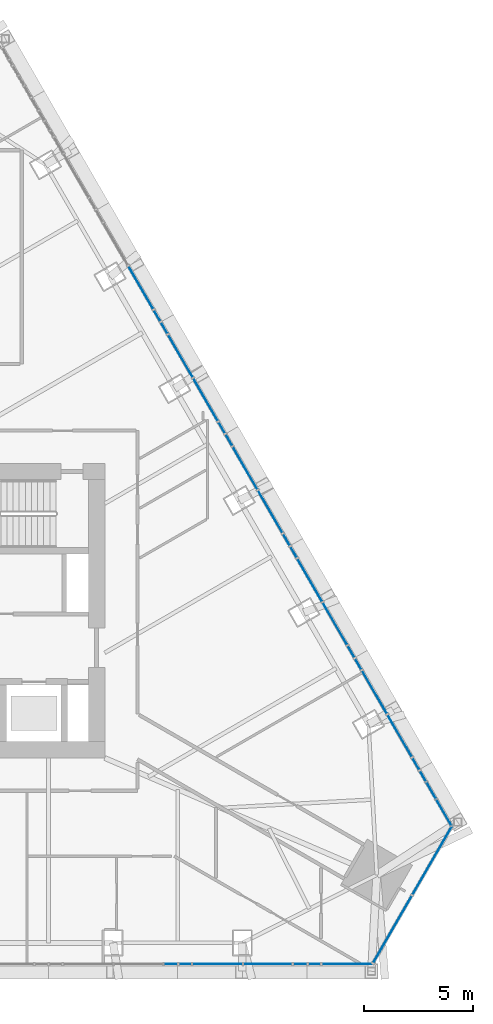
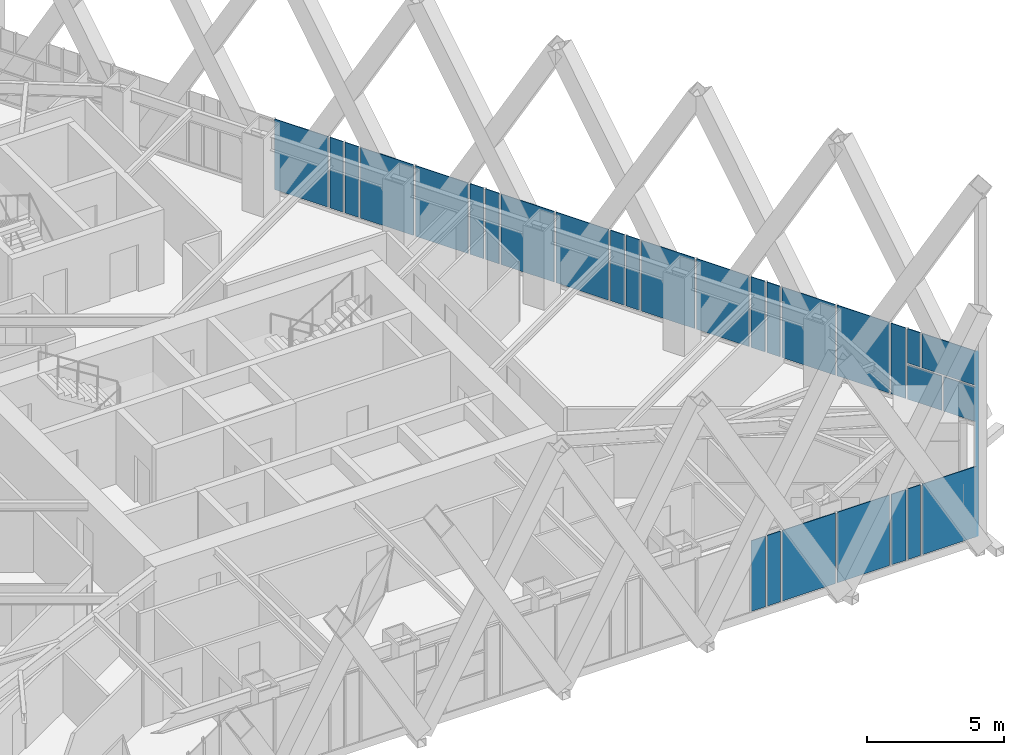
# One storey, part 14 of 23: 31 plates, 3 elements without a shape of their own.
"""IFC4 building model written with IfcOpenShell, lengths in metres."""

from ifc_helpers import new_model, si_unit, direction, frame, origin, place, context, subcontext, project, spatial, polyline, outline, extrude, material, layer, layer_set, type_object, element, aggregate, save


model = new_model("IFC4")

# Units and contexts
model_context = context("Model", 3, precision=1e-05, world=origin(), true_north=direction((0.0, 1.0)))
body_context = subcontext(model_context, "Body", "Model", "MODEL_VIEW")
ifc_project = project(units=[si_unit("LENGTHUNIT", "METRE"), si_unit("AREAUNIT", "SQUARE_METRE"), si_unit("VOLUMEUNIT", "CUBIC_METRE"), si_unit("PLANEANGLEUNIT", "RADIAN"), si_unit("MASSUNIT", "GRAM", prefix="KILO")], contexts=[model_context])

# Site, building, storey
site_placement = place(None, origin())
site = spatial("IfcSite", under=ifc_project, at=site_placement, CompositionType="ELEMENT")
building_placement = place(site_placement, origin())
building = spatial("IfcBuilding", under=site, at=building_placement, Name="Firuza Gate Tower and Library", CompositionType="ELEMENT")
storey_placement = place(building_placement, frame((0.0, 0.0, 312.60009765625)))
storey = spatial("IfcBuildingStorey", under=building, at=storey_placement, Name="L76", CompositionType="ELEMENT", Elevation=312.60009765625)

# Curtain wall, plates
ifc_material_1 = material(Name="Aluminium 6063-T6", Category="aluminium")
ifc_layer_1 = layer(ifc_material_1, 0.14990234375)
ifc_layer_set_1 = layer_set([ifc_layer_1], Name="Corner curtain wall, chamfers")
curtain_wall_type_1 = type_object("IfcCurtainWallType", Name="Corner curtain wall, chamfers", PredefinedType="NOTDEFINED", material=ifc_layer_set_1)
placement = place(storey_placement, origin())
curtain_wall_1 = element("IfcCurtainWall", 1, at=placement, inside=storey, type_object=curtain_wall_type_1, Name="CW4 L76 SE corner", PredefinedType="NOTDEFINED")
ifc_material_2 = material(Name="Fritted glass", Category="glass")
ifc_layer_2 = layer(ifc_material_2, 0.030029296875)
ifc_layer_set_2 = layer_set([ifc_layer_2], Name="Fritted glass unit, corners")
plate_type_1 = type_object("IfcPlateType", Name="Fritted glass unit, corners", PredefinedType="CURTAIN_PANEL", material=ifc_layer_set_2)
plate_1_placement = place(storey_placement, frame((95.79638671875, 58.83251953125, 0.14990234375), z_axis=(0.866046390552, -0.49996364809, 0.0), x_axis=(0.49996364809, 0.866046390552, 0.0)))
plate_1 = element("IfcPlate", 2, at=plate_1_placement, type_object=plate_type_1, Name="Glass unit", PredefinedType="CURTAIN_PANEL", context=body_context, shape_type="SweptSolid", body=[
    extrude(outline(polyline([(0.0, 0.0), (3.563247342942594, 0.0), (3.563247342942594, 3.14990234375), (0.0, 3.14990234375), (0.0, 0.0)])), origin(), (0.0, 0.0, -1.0), 0.030029296875),
])
plate_2_placement = place(storey_placement, frame((97.617919921875, 61.98779296875, 0.14990234375), z_axis=(0.866016723041, -0.500015035186, 0.0), x_axis=(0.500015035186, 0.866016723041, 0.0)))
plate_2 = element("IfcPlate", 3, at=plate_2_placement, type_object=plate_type_1, Name="Glass unit", PredefinedType="CURTAIN_PANEL", context=body_context, shape_type="SweptSolid", body=[
    extrude(outline(polyline([(0.0, 0.0), (3.5633694106530625, 0.0), (3.5633694106530625, 3.14990234375), (0.0, 3.14990234375), (0.0, 0.0)])), origin(), (0.0, 0.0, -1.0), 0.030029296875),
])
aggregate(curtain_wall_1, [plate_1, plate_2])

ifc_material_3 = material(Name="Aluminium 6063-T6", Category="aluminium")
ifc_layer_3 = layer(ifc_material_3, 0.14990234375)
ifc_layer_set_3 = layer_set([ifc_layer_3], Name="Unitised curtain wall, residences")
curtain_wall_type_2 = type_object("IfcCurtainWallType", Name="Unitised curtain wall, residences", PredefinedType="NOTDEFINED", material=ifc_layer_set_3)
curtain_wall_2 = element("IfcCurtainWall", 4, at=placement, inside=storey, type_object=curtain_wall_type_2, Name="CW3 L76 S face", PredefinedType="NOTDEFINED")
ifc_material_4 = material(Name="Fritted glass", Category="glass")
ifc_layer_4 = layer(ifc_material_4, 0.030029296875)
ifc_layer_set_4 = layer_set([ifc_layer_4], Name="Fritted glass unit, residences")
plate_type_2 = type_object("IfcPlateType", Name="Fritted glass unit, residences", PredefinedType="CURTAIN_PANEL", material=ifc_layer_set_4)
plate_3_placement = place(storey_placement, frame((86.227294921875, 58.790283203125, 0.14990234375), z_axis=(0.0, -1.0, 0.0), x_axis=(1.0, 0.0, 0.0)))
plate_3 = element("IfcPlate", 5, at=plate_3_placement, type_object=plate_type_2, Name="Glass unit", PredefinedType="CURTAIN_PANEL", context=body_context, shape_type="SweptSolid", body=[
    extrude(outline(polyline([(0.0, 0.0), (0.597412109375, 0.0), (0.597412109375, 3.14990234375), (0.0, 3.14990234375), (0.0, 0.0)])), origin(), (0.0, 0.0, -1.0), 0.030029296875),
])
plate_4_placement = place(storey_placement, frame((86.90478515625, 58.790283203125, 0.14990234375), z_axis=(0.0, -1.0, 0.0), x_axis=(1.0, 0.0, 0.0)))
plate_4 = element("IfcPlate", 6, at=plate_4_placement, type_object=plate_type_2, Name="Glass unit", PredefinedType="CURTAIN_PANEL", context=body_context, shape_type="SweptSolid", body=[
    extrude(outline(polyline([(0.0, 0.0), (0.5478515625, 0.0), (0.5478515625, 3.14990234375), (0.0, 3.14990234375), (0.0, 0.0)])), origin(), (0.0, 0.0, -1.0), 0.030029296875),
])
plate_5_placement = place(storey_placement, frame((92.1474609375, 58.790283203125, 0.14990234375), z_axis=(0.0, -1.0, 0.0), x_axis=(1.0, 0.0, 0.0)))
plate_5 = element("IfcPlate", 7, at=plate_5_placement, type_object=plate_type_2, Name="Glass unit", PredefinedType="CURTAIN_PANEL", context=body_context, shape_type="SweptSolid", body=[
    extrude(outline(polyline([(0.0, 0.0), (0.609619140625, 0.0), (0.609619140625, 3.14990234375), (0.0, 3.14990234375), (0.0, 0.0)])), origin(), (0.0, 0.0, -1.0), 0.030029296875),
])
plate_6_placement = place(storey_placement, frame((92.837158203125, 58.790283203125, 0.14990234375), z_axis=(0.0, -1.0, 0.0), x_axis=(1.0, 0.0, 0.0)))
plate_6 = element("IfcPlate", 8, at=plate_6_placement, type_object=plate_type_2, Name="Glass unit", PredefinedType="CURTAIN_PANEL", context=body_context, shape_type="SweptSolid", body=[
    extrude(outline(polyline([(0.0, 0.0), (0.535400390625, 0.0), (0.535400390625, 3.14990234375), (0.0, 3.14990234375), (0.0, 0.0)])), origin(), (0.0, 0.0, -1.0), 0.030029296875),
])

curtain_wall_3 = element("IfcCurtainWall", 9, at=placement, inside=storey, type_object=curtain_wall_type_2, Name="CW3 L76 E face", PredefinedType="NOTDEFINED")
plate_7_placement = place(storey_placement, frame((98.679443359375, 66.405029296875, 0.14990234375), z_axis=(0.8660843843, 0.499897828833, 0.0), x_axis=(-0.499897828833, 0.8660843843, 0.0)))
plate_7 = element("IfcPlate", 10, at=plate_7_placement, type_object=plate_type_2, Name="Glass unit", PredefinedType="CURTAIN_PANEL", context=body_context, shape_type="SweptSolid", body=[
    extrude(outline(polyline([(0.0, 0.0), (1.4460962799396364, 0.0), (1.4460962799396364, 1.5349121093750004), (0.0, 1.5349121093750004), (0.0, 0.0)])), origin(), (0.0, 0.0, -1.0), 0.030029296875),
])
plate_8_placement = place(storey_placement, frame((98.224365234375, 67.193603515625, 1.764892578125), z_axis=(0.866018596809, 0.500011789842, 0.0), x_axis=(-0.500011789842, 0.866018596809, 0.0)))
plate_8 = element("IfcPlate", 11, at=plate_8_placement, type_object=plate_type_2, Name="Glass unit", PredefinedType="CURTAIN_PANEL", context=body_context, shape_type="SweptSolid", body=[
    extrude(outline(polyline([(0.0, 0.0), (0.5356319012191753, 0.0), (0.5356319012191753, 1.534912109375), (0.0, 1.534912109375), (0.0, 0.0)])), origin(), (0.0, 0.0, -1.0), 0.030029296875),
])
plate_9_placement = place(storey_placement, frame((97.91650390625, 67.726806640625, 0.14990234375), z_axis=(0.865892059001, 0.500230888849, 0.0), x_axis=(-0.500230888849, 0.865892059001, 0.0)))
plate_9 = element("IfcPlate", 12, at=plate_9_placement, type_object=plate_type_2, Name="Glass unit", PredefinedType="CURTAIN_PANEL", context=body_context, shape_type="SweptSolid", body=[
    extrude(outline(polyline([(0.0, 0.0), (0.6095817899738764, 0.0), (0.6095817899738764, 3.14990234375), (0.0, 3.14990234375), (0.0, 0.0)])), origin(), (0.0, 0.0, -1.0), 0.030029296875),
])
plate_10_placement = place(storey_placement, frame((95.26416015625, 72.320556640625, 0.14990234375), z_axis=(0.865985176339, 0.500069669507, 0.0), x_axis=(-0.500069669507, 0.865985176339, 0.0)))
plate_10 = element("IfcPlate", 13, at=plate_10_placement, type_object=plate_type_2, Name="Glass unit", PredefinedType="CURTAIN_PANEL", context=body_context, shape_type="SweptSolid", body=[
    extrude(outline(polyline([(0.0, 0.0), (0.547775236038534, 0.0), (0.547775236038534, 3.14990234375), (0.0, 3.14990234375), (0.0, 0.0)])), origin(), (0.0, 0.0, -1.0), 0.030029296875),
])
plate_11_placement = place(storey_placement, frame((94.9501953125, 72.8642578125, 0.14990234375), z_axis=(0.866097112779, 0.499875775804, 0.0), x_axis=(-0.499875775804, 0.866097112779, 0.0)))
plate_11 = element("IfcPlate", 14, at=plate_11_placement, type_object=plate_type_2, Name="Glass unit", PredefinedType="CURTAIN_PANEL", context=body_context, shape_type="SweptSolid", body=[
    extrude(outline(polyline([(0.0, 0.0), (0.5973163710418148, 0.0), (0.5973163710418148, 3.14990234375), (0.0, 3.14990234375), (0.0, 0.0)])), origin(), (0.0, 0.0, -1.0), 0.030029296875),
])
plate_12_placement = place(storey_placement, frame((92.30419921875, 77.447265625, 0.14990234375), z_axis=(0.866171078478, 0.499747599102, 0.0), x_axis=(-0.499747599102, 0.866171078478, 0.0)))
plate_12 = element("IfcPlate", 15, at=plate_12_placement, type_object=plate_type_2, Name="Glass unit", PredefinedType="CURTAIN_PANEL", context=body_context, shape_type="SweptSolid", body=[
    extrude(outline(polyline([(0.0, 0.0), (0.5603414551231225, 0.0), (0.5603414551231225, 3.14990234375), (0.0, 3.14990234375), (0.0, 0.0)])), origin(), (0.0, 0.0, -1.0), 0.030029296875),
])
plate_13_placement = place(storey_placement, frame((91.984130859375, 78.001953125, 0.14990234375), z_axis=(0.866025730634, 0.499999433879, 0.0), x_axis=(-0.499999433879, 0.866025730634, 0.0)))
plate_13 = element("IfcPlate", 16, at=plate_13_placement, type_object=plate_type_2, Name="Glass unit", PredefinedType="CURTAIN_PANEL", context=body_context, shape_type="SweptSolid", body=[
    extrude(outline(polyline([(0.0, 0.0), (0.5849615998176811, 0.0), (0.5849615998176811, 3.149902343750001), (0.0, 3.149902343750001), (0.0, 0.0)])), origin(), (0.0, 0.0, -1.0), 0.030029296875),
])
plate_14_placement = place(storey_placement, frame((89.34423828125, 82.57421875, 0.14990234375), z_axis=(0.865951249342, 0.500128417272, 0.0), x_axis=(-0.500128417272, 0.865951249342, 0.0)))
plate_14 = element("IfcPlate", 17, at=plate_14_placement, type_object=plate_type_2, Name="Glass unit", PredefinedType="CURTAIN_PANEL", context=body_context, shape_type="SweptSolid", body=[
    extrude(outline(polyline([(0.0, 0.0), (0.5726068410336176, 0.0), (0.5726068410336176, 3.14990234375), (0.0, 3.14990234375), (0.0, 0.0)])), origin(), (0.0, 0.0, -1.0), 0.030029296875),
])
plate_15_placement = place(storey_placement, frame((89.017822265625, 83.139404296875, 0.14990234375), z_axis=(0.86613588357, 0.499808594556, 0.0), x_axis=(-0.499808594556, 0.86613588357, 0.0)))
plate_15 = element("IfcPlate", 18, at=plate_15_placement, type_object=plate_type_2, Name="Glass unit", PredefinedType="CURTAIN_PANEL", context=body_context, shape_type="SweptSolid", body=[
    extrude(outline(polyline([(0.0, 0.0), (0.5724847784059417, 0.0), (0.5724847784059417, 3.14990234375), (0.0, 3.14990234375), (0.0, 0.0)])), origin(), (0.0, 0.0, -1.0), 0.030029296875),
])
plate_16_placement = place(storey_placement, frame((86.38427734375, 87.701171875, 0.14990234375), z_axis=(0.866025730634, 0.499999433879, 0.0), x_axis=(-0.499999433879, 0.866025730634, 0.0)))
plate_16 = element("IfcPlate", 19, at=plate_16_placement, type_object=plate_type_2, Name="Glass unit", PredefinedType="CURTAIN_PANEL", context=body_context, shape_type="SweptSolid", body=[
    extrude(outline(polyline([(0.0, 0.0), (0.5849615998176811, 0.0), (0.5849615998176811, 3.149902343750001), (0.0, 3.149902343750001), (0.0, 0.0)])), origin(), (0.0, 0.0, -1.0), 0.030029296875),
])
plate_17_placement = place(storey_placement, frame((86.0517578125, 88.277099609375, 0.14990234375), z_axis=(0.86606220186, 0.499936258447, 0.0), x_axis=(-0.499936258447, 0.86606220186, 0.0)))
plate_17 = element("IfcPlate", 20, at=plate_17_placement, type_object=plate_type_2, Name="Glass unit", PredefinedType="CURTAIN_PANEL", context=body_context, shape_type="SweptSolid", body=[
    extrude(outline(polyline([(0.0, 0.0), (0.5601300008627605, 0.0), (0.5601300008627605, 3.149902343750001), (0.0, 3.149902343750001), (0.0, 0.0)])), origin(), (0.0, 0.0, -1.0), 0.030029296875),
])

# Plate
ifc_material_5 = material(Name="Glazed ceramic tile")
ifc_layer_5 = layer(ifc_material_5, 0.030029296875)
ifc_layer_set_5 = layer_set([ifc_layer_5], Name="Opaque ceramic panel, residences")
plate_type_3 = type_object("IfcPlateType", Name="Opaque ceramic panel, residences", PredefinedType="CURTAIN_PANEL", material=ifc_layer_set_5)
plate_18_placement = place(storey_placement, frame((87.53271484375, 58.790283203125, 0.14990234375), z_axis=(0.0, -1.0, 0.0), x_axis=(1.0, 0.0, 0.0)))
plate_18 = element("IfcPlate", 21, at=plate_18_placement, type_object=plate_type_3, Name="Opaque ceramic panel", PredefinedType="CURTAIN_PANEL", context=body_context, shape_type="SweptSolid", body=[
    extrude(outline(polyline([(0.0, 0.0), (2.25830078125, 0.0), (2.25830078125, 3.14990234375), (0.0, 3.14990234375), (0.0, 0.0)])), origin(), (0.0, 0.0, -1.0), 0.030029296875),
])

plate_19_placement = place(storey_placement, frame((89.870849609375, 58.790283203125, 0.14990234375), z_axis=(0.0, -1.0, 0.0), x_axis=(1.0, 0.0, 0.0)))
plate_19 = element("IfcPlate", 22, at=plate_19_placement, type_object=plate_type_3, Name="Opaque ceramic panel", PredefinedType="CURTAIN_PANEL", context=body_context, shape_type="SweptSolid", body=[
    extrude(outline(polyline([(0.0, 0.0), (2.196533203125, 0.0), (2.196533203125, 3.14990234375), (0.0, 3.14990234375), (0.0, 0.0)])), origin(), (0.0, 0.0, -1.0), 0.030029296875),
])

plate_20_placement = place(storey_placement, frame((93.45263671875, 58.790283203125, 0.14990234375), z_axis=(0.0, -1.0, 0.0), x_axis=(1.0, 0.0, 0.0)))
plate_20 = element("IfcPlate", 23, at=plate_20_placement, type_object=plate_type_3, Name="Opaque ceramic panel", PredefinedType="CURTAIN_PANEL", context=body_context, shape_type="SweptSolid", body=[
    extrude(outline(polyline([(0.0, 0.0), (2.270751953125, 0.0), (2.270751953125, 3.14990234375), (0.0, 3.14990234375), (0.0, 0.0)])), origin(), (0.0, 0.0, -1.0), 0.030029296875),
])

aggregate(curtain_wall_2, [plate_3, plate_4, plate_18, plate_19, plate_5, plate_6, plate_20])

plate_21_placement = place(storey_placement, frame((99.399658203125, 65.157958984375, 0.14990234375), z_axis=(0.865958369053, 0.50011608959, 0.0), x_axis=(-0.50011608959, 0.865958369053, 0.0)))
plate_21 = element("IfcPlate", 24, at=plate_21_placement, type_object=plate_type_3, Name="Opaque ceramic panel", PredefinedType="CURTAIN_PANEL", context=body_context, shape_type="SweptSolid", body=[
    extrude(outline(polyline([(0.0, 0.0), (1.3600357905054148, 0.0), (1.3600357905054148, 1.5349121093750004), (0.0, 1.5349121093750004), (0.0, 0.0)])), origin(), (0.0, 0.0, -1.0), 0.030029296875),
])

plate_22_placement = place(storey_placement, frame((99.399658203125, 65.157958984375, 1.764892578125), z_axis=(0.865977867159, 0.500082326813, 0.0), x_axis=(-0.500082326813, 0.865977867159, 0.0)))
plate_22 = element("IfcPlate", 25, at=plate_22_placement, type_object=plate_type_3, Name="Opaque ceramic panel", PredefinedType="CURTAIN_PANEL", context=body_context, shape_type="SweptSolid", body=[
    extrude(outline(polyline([(0.0, 0.0), (2.270622227564956, 0.0), (2.270622227564956, 1.5349121093750004), (0.0, 1.5349121093750004), (0.0, 0.0)])), origin(), (0.0, 0.0, -1.0), 0.030029296875),
])

plate_23_placement = place(storey_placement, frame((97.571533203125, 68.323974609375, 0.14990234375), z_axis=(0.866059731463, 0.499940538003, 0.0), x_axis=(-0.499940538003, 0.866059731463, 0.0)))
plate_23 = element("IfcPlate", 26, at=plate_23_placement, type_object=plate_type_3, Name="Opaque ceramic panel", PredefinedType="CURTAIN_PANEL", context=body_context, shape_type="SweptSolid", body=[
    extrude(outline(polyline([(0.0, 0.0), (2.1965502850329526, 0.0), (2.1965502850329526, 3.14990234375), (0.0, 3.14990234375), (0.0, 0.0)])), origin(), (0.0, 0.0, -1.0), 0.030029296875),
])

plate_24_placement = place(storey_placement, frame((96.433349609375, 70.29541015625, 0.14990234375), z_axis=(0.866032566085, 0.499987594326, 0.0), x_axis=(-0.499987594326, 0.866032566085, 0.0)))
plate_24 = element("IfcPlate", 27, at=plate_24_placement, type_object=plate_type_3, Name="Opaque ceramic panel", PredefinedType="CURTAIN_PANEL", context=body_context, shape_type="SweptSolid", body=[
    extrude(outline(polyline([(0.0, 0.0), (2.2583568141274926, 0.0), (2.2583568141274926, 3.14990234375), (0.0, 3.14990234375), (0.0, 0.0)])), origin(), (0.0, 0.0, -1.0), 0.030029296875),
])

plate_25_placement = place(storey_placement, frame((94.611572265625, 73.450927734375, 0.14990234375), z_axis=(0.86605121829, 0.4999552853, 0.0), x_axis=(-0.4999552853, 0.86605121829, 0.0)))
plate_25 = element("IfcPlate", 28, at=plate_25_placement, type_object=plate_type_3, Name="Opaque ceramic panel", PredefinedType="CURTAIN_PANEL", context=body_context, shape_type="SweptSolid", body=[
    extrude(outline(polyline([(0.0, 0.0), (2.208693615895883, 0.0), (2.208693615895883, 3.149902343750001), (0.0, 3.149902343750001), (0.0, 0.0)])), origin(), (0.0, 0.0, -1.0), 0.030029296875),
])

plate_26_placement = place(storey_placement, frame((93.46728515625, 75.43310546875, 0.14990234375), z_axis=(0.866013617334, 0.500020414175, 0.0), x_axis=(-0.500020414175, 0.866013617334, 0.0)))
plate_26 = element("IfcPlate", 29, at=plate_26_placement, type_object=plate_type_3, Name="Opaque ceramic panel", PredefinedType="CURTAIN_PANEL", context=body_context, shape_type="SweptSolid", body=[
    extrude(outline(polyline([(0.0, 0.0), (2.246002049440076, 0.0), (2.246002049440076, 3.14990234375), (0.0, 3.14990234375), (0.0, 0.0)])), origin(), (0.0, 0.0, -1.0), 0.030029296875),
])

plate_27_placement = place(storey_placement, frame((91.651611328125, 78.577880859375, 0.14990234375), z_axis=(0.866022679971, 0.500004717754, 0.0), x_axis=(-0.500004717754, 0.866022679971, 0.0)))
plate_27 = element("IfcPlate", 30, at=plate_27_placement, type_object=plate_type_3, Name="Opaque ceramic panel", PredefinedType="CURTAIN_PANEL", context=body_context, shape_type="SweptSolid", body=[
    extrude(outline(polyline([(0.0, 0.0), (2.221170448377097, 0.0), (2.221170448377097, 3.14990234375), (0.0, 3.14990234375), (0.0, 0.0)])), origin(), (0.0, 0.0, -1.0), 0.030029296875),
])

plate_28_placement = place(storey_placement, frame((90.5009765625, 80.570556640625, 0.14990234375), z_axis=(0.866041788654, 0.4999716195, 0.0), x_axis=(-0.4999716195, 0.866041788654, 0.0)))
plate_28 = element("IfcPlate", 31, at=plate_28_placement, type_object=plate_type_3, Name="Opaque ceramic panel", PredefinedType="CURTAIN_PANEL", context=body_context, shape_type="SweptSolid", body=[
    extrude(outline(polyline([(0.0, 0.0), (2.2335252146231643, 0.0), (2.2335252146231643, 3.14990234375), (0.0, 3.14990234375), (0.0, 0.0)])), origin(), (0.0, 0.0, -1.0), 0.030029296875),
])

plate_29_placement = place(storey_placement, frame((88.691650390625, 83.70458984375, 0.14990234375), z_axis=(0.866041788654, 0.4999716195, 0.0), x_axis=(-0.4999716195, 0.866041788654, 0.0)))
plate_29 = element("IfcPlate", 32, at=plate_29_placement, type_object=plate_type_3, Name="Opaque ceramic panel", PredefinedType="CURTAIN_PANEL", context=body_context, shape_type="SweptSolid", body=[
    extrude(outline(polyline([(0.0, 0.0), (2.2335252146231643, 0.0), (2.2335252146231643, 3.14990234375), (0.0, 3.14990234375), (0.0, 0.0)])), origin(), (0.0, 0.0, -1.0), 0.030029296875),
])

plate_30_placement = place(storey_placement, frame((87.534912109375, 85.708251953125, 0.14990234375), z_axis=(0.866022679971, 0.500004717754, 0.0), x_axis=(-0.500004717754, 0.866022679971, 0.0)))
plate_30 = element("IfcPlate", 33, at=plate_30_placement, type_object=plate_type_3, Name="Opaque ceramic panel", PredefinedType="CURTAIN_PANEL", context=body_context, shape_type="SweptSolid", body=[
    extrude(outline(polyline([(0.0, 0.0), (2.221170448377097, 0.0), (2.221170448377097, 3.14990234375), (0.0, 3.14990234375), (0.0, 0.0)])), origin(), (0.0, 0.0, -1.0), 0.030029296875),
])

plate_31_placement = place(storey_placement, frame((85.731689453125, 88.83154296875, 0.14990234375), z_axis=(0.866013617334, 0.500020414175, 0.0), x_axis=(-0.500020414175, 0.866013617334, 0.0)))
plate_31 = element("IfcPlate", 34, at=plate_31_placement, type_object=plate_type_3, Name="Opaque ceramic panel", PredefinedType="CURTAIN_PANEL", context=body_context, shape_type="SweptSolid", body=[
    extrude(outline(polyline([(0.0, 0.0), (2.246002049440076, 0.0), (2.246002049440076, 3.14990234375), (0.0, 3.14990234375), (0.0, 0.0)])), origin(), (0.0, 0.0, -1.0), 0.030029296875),
])

aggregate(curtain_wall_3, [plate_21, plate_7, plate_22, plate_8, plate_9, plate_23, plate_24, plate_10, plate_11, plate_25, plate_26, plate_12, plate_13, plate_27, plate_28, plate_14, plate_15, plate_29, plate_30, plate_16, plate_17, plate_31])

save(model, "model.ifc")
